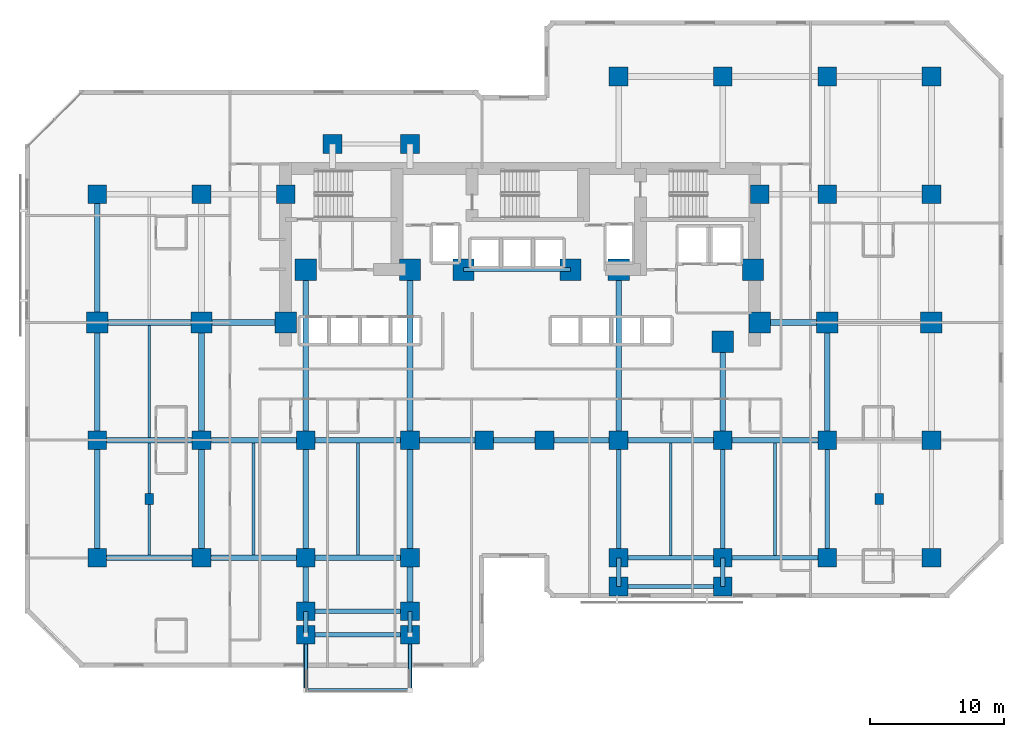
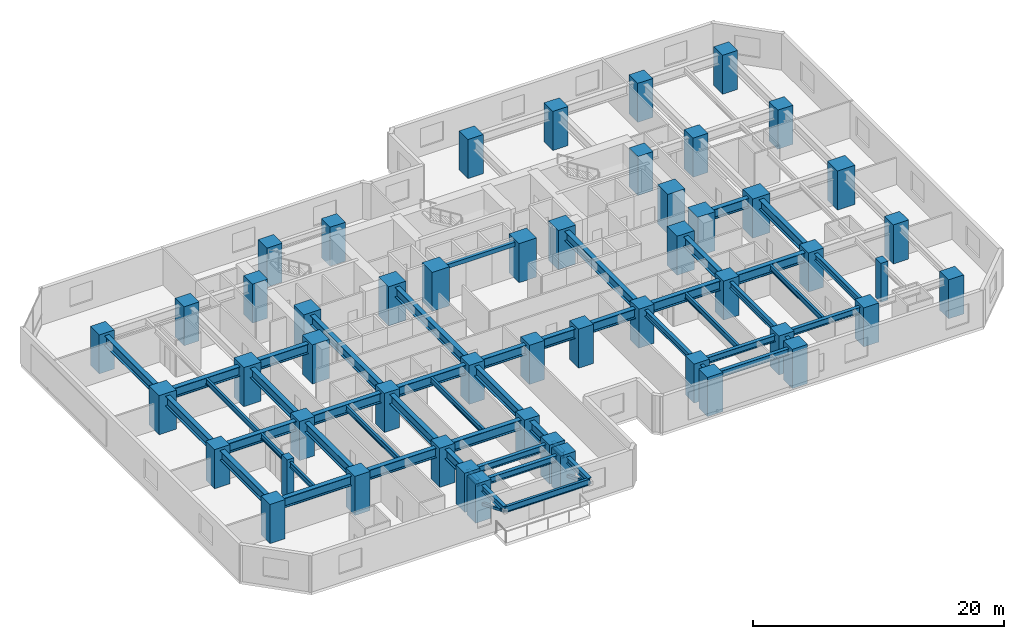
# One storey, part 1 of 12: 51 columns, 50 beams, 2 members.
"""IFC4 building model written with IfcOpenShell, lengths in metres."""

from ifc_helpers import new_model, si_unit, direction, frame, origin, origin_2d, place, context, subcontext, project, spatial, rectangle, hollow_rectangle, i_section, extrude, material, material_profile, profile_set, type_object, element, save


model = new_model("IFC4")

# Units and contexts
model_context = context("Model", 3, precision=1e-05, world=origin(), true_north=direction((0.0, 1.0)))
body_context = subcontext(model_context, "Body", "Model", "MODEL_VIEW")
ifc_project = project(units=[si_unit("LENGTHUNIT", "METRE"), si_unit("AREAUNIT", "SQUARE_METRE"), si_unit("VOLUMEUNIT", "CUBIC_METRE"), si_unit("PLANEANGLEUNIT", "RADIAN"), si_unit("MASSUNIT", "GRAM", prefix="KILO")], contexts=[model_context])

# Site, building, storey
site_placement = place(None, origin())
site = spatial("IfcSite", under=ifc_project, at=site_placement, CompositionType="ELEMENT")
building_placement = place(site_placement, origin())
building = spatial("IfcBuilding", under=site, at=building_placement, Name="Kestravale Grand Hotel", CompositionType="ELEMENT")
storey_placement = place(building_placement, frame((0.0, 0.0, 64.0)))
storey = spatial("IfcBuildingStorey", under=building, at=storey_placement, Name="L15", CompositionType="ELEMENT", Elevation=64.0)

# Columns
ifc_material_1 = material(Name="Concrete f'c 70 MPa", Category="concrete")
ifc_material_profile_1 = material_profile(ifc_material_1, rectangle(XDim=1.39990234375, YDim=1.39990234375, at=origin_2d()))
ifc_profile_set_1 = profile_set([ifc_material_profile_1], Name="Concrete f'c 70 MPa")
column_type_1 = type_object("IfcColumnType", Name="C-Z1-1400", PredefinedType="COLUMN", material=ifc_profile_set_1)
for number, where, z_axis, x_axis, name in (
    (1, (7.800048828125, 11.199951171875, 0.0), (0.0, 0.0, 1.0), (1.0, 0.0, 0.0), "L15 column 2-C"),
    (2, (7.800048828125, 20.0, 0.0), (0.0, 0.0, 1.0), (1.0, 0.0, 0.0), "L15 column 2-D"),
    (3, (7.800048828125, 38.39990234375, 0.0), (0.0, 0.0, 1.0), (1.0, 0.0, 0.0), "L15 column 2-F"),
    (4, (15.60009765625, 11.199951171875, 0.0), (0.0, 0.0, 1.0), (1.0, 0.0, 0.0), "L15 column 3-C"),
    (5, (15.60009765625, 20.0, 0.0), (0.0, 0.0, 1.0), (1.0, 0.0, 0.0), "L15 column 3-D"),
    (6, (15.60009765625, 38.39990234375, 0.0), (0.0, 0.0, 1.0), (1.0, 0.0, 0.0), "L15 column 3-F"),
    (7, (23.39990234375, 11.199951171875, 0.0), (0.0, 0.0, 1.0), (1.0, 0.0, 0.0), "L15 column 4-C"),
    (8, (23.39990234375, 20.0, 0.0), (0.0, 0.0, 1.0), (1.0, 0.0, 0.0), "L15 column 4-D"),
    (9, (31.199951171875, 11.199951171875, 0.0), (0.0, 0.0, 1.0), (1.0, 0.0, 0.0), "L15 column 5-C"),
    (10, (31.199951171875, 20.0, 0.0), (0.0, 0.0, 1.0), (1.0, 0.0, 0.0), "L15 column 5-D"),
    (11, (36.75, 20.0, 0.0), (0.0, 0.0, 1.0), (1.0, 0.0, 0.0), "L15 column 6-D"),
    (12, (41.25, 20.0, 0.0), (0.0, 0.0, 1.0), (1.0, 0.0, 0.0), "L15 column 7-D"),
    (13, (46.800048828125, 11.199951171875, 0.0), (0.0, 0.0, 1.0), (1.0, 0.0, 0.0), "L15 column 8-C"),
    (14, (46.800048828125, 20.0, 0.0), (0.0, 0.0, 1.0), (1.0, 0.0, 0.0), "L15 column 8-D"),
    (15, (46.800048828125, 47.199951171875, 0.0), (0.0, 0.0, 1.0), (1.0, 0.0, 0.0), "L15 column 8-G"),
    (16, (54.60009765625, 11.199951171875, 0.0), (0.0, 0.0, 1.0), (1.0, 0.0, 0.0), "L15 column 9-C"),
    (17, (54.60009765625, 20.0, 0.0), (0.0, 0.0, 1.0), (1.0, 0.0, 0.0), "L15 column 9-D"),
    (18, (54.60009765625, 47.199951171875, 0.0), (0.0, 0.0, 1.0), (1.0, 0.0, 0.0), "L15 column 9-G"),
    (19, (62.39990234375, 11.199951171875, 0.0), (0.0, 0.0, 1.0), (1.0, 0.0, 0.0), "L15 column 10-C"),
    (20, (62.39990234375, 20.0, 0.0), (0.0, 0.0, 1.0), (1.0, 0.0, 0.0), "L15 column 10-D"),
    (21, (62.39990234375, 38.39990234375, 0.0), (0.0, 0.0, 1.0), (1.0, 0.0, 0.0), "L15 column 10-F"),
    (22, (62.39990234375, 47.199951171875, 0.0), (0.0, 0.0, 1.0), (1.0, 0.0, 0.0), "L15 column 10-G"),
    (23, (70.199951171875, 11.199951171875, 0.0), (0.0, 0.0, 1.0), (1.0, 0.0, 0.0), "L15 column 11-C"),
    (24, (70.199951171875, 20.0, 0.0), (0.0, 0.0, 1.0), (1.0, 0.0, 0.0), "L15 column 11-D"),
    (25, (70.199951171875, 38.39990234375, 0.0), (0.0, 0.0, 1.0), (1.0, 0.0, 0.0), "L15 column 11-F"),
    (26, (70.199951171875, 47.199951171875, 0.0), (0.0, 0.0, 1.0), (1.0, 0.0, 0.0), "L15 column 11-G"),
    (27, (21.89990234375, 38.39990234375, 0.0), (0.0, 0.0, 1.0), (1.0, 0.0, 0.0), "L15 column CW-F"),
    (28, (57.35009765625, 38.39990234375, 0.0), (0.0, 0.0, 1.0), (1.0, 0.0, 0.0), "L15 column CE-F"),
    (29, (23.39990234375, 7.199951171875, 0.0), (0.0, 0.0, 1.0), (1.0, 0.0, 0.0), "L15 column 4-BS"),
    (30, (31.199951171875, 7.199951171875, 0.0), (0.0, 0.0, 1.0), (1.0, 0.0, 0.0), "L15 column 5-BS"),
    (31, (25.39990234375, 42.14990234375, 0.0), (0.0, 0.0, 1.0), (1.0, 0.0, 0.0), "L15 column 4-FN"),
    (32, (31.199951171875, 42.14990234375, 0.0), (0.0, 0.0, 1.0), (1.0, 0.0, 0.0), "L15 column 5-FN"),
    (33, (23.39990234375, 5.449951171875, 0.0), (0.0, 0.0, 1.0), (1.0, 0.0, 0.0), "L15 column 4-B1S"),
    (34, (31.199951171875, 5.449951171875, 0.0), (0.0, 0.0, 1.0), (1.0, 0.0, 0.0), "L15 column 5-B1S"),
    (35, (46.800048828125, 9.050048828125, 0.0), (0.0, 0.0, 1.0), (1.0, 0.0, 0.0), "L15 column 8-B1E"),
    (36, (54.60009765625, 9.050048828125, 0.0), (0.0, 0.0, 1.0), (1.0, 0.0, 0.0), "L15 column 9-B1E"),
):
    element("IfcColumn", number, at=place(storey_placement, frame(where, z_axis=z_axis, x_axis=x_axis)), inside=storey, type_object=column_type_1, Name=name, PredefinedType="COLUMN", context=body_context, shape_type="SweptSolid", body=[
        extrude(rectangle(XDim=1.39990234375, YDim=1.39990234375, at=origin_2d()), origin(), (0.0, 0.0, 1.0), 3.800048828125),
    ])
ifc_material_2 = material(Name="Concrete f'c 70 MPa", Category="concrete")
ifc_material_profile_2 = material_profile(ifc_material_2, rectangle(XDim=1.60009765625, YDim=1.60009765625, at=origin_2d()))
ifc_profile_set_2 = profile_set([ifc_material_profile_2], Name="Concrete f'c 70 MPa")
column_type_2 = type_object("IfcColumnType", Name="C-Z1-1600", PredefinedType="COLUMN", material=ifc_profile_set_2)
for number, where, z_axis, x_axis, name in (
    (37, (7.800048828125, 28.800048828125, 0.0), (0.0, 0.0, 1.0), (1.0, 0.0, 0.0), "L15 column 2-E"),
    (38, (15.60009765625, 28.800048828125, 0.0), (0.0, 0.0, 1.0), (1.0, 0.0, 0.0), "L15 column 3-E"),
    (39, (62.39990234375, 28.800048828125, 0.0), (0.0, 0.0, 1.0), (1.0, 0.0, 0.0), "L15 column 10-E"),
    (40, (70.199951171875, 28.800048828125, 0.0), (0.0, 0.0, 1.0), (1.0, 0.0, 0.0), "L15 column 11-E"),
    (41, (21.89990234375, 28.800048828125, 0.0), (0.0, 0.0, 1.0), (1.0, 0.0, 0.0), "L15 column CW-E"),
    (42, (57.35009765625, 28.800048828125, 0.0), (0.0, 0.0, 1.0), (1.0, 0.0, 0.0), "L15 column CE-E"),
    (43, (23.39990234375, 32.75, 0.0), (0.0, 0.0, 1.0), (1.0, 0.0, 0.0), "L15 column 4-CS"),
    (44, (31.199951171875, 32.75, 0.0), (0.0, 0.0, 1.0), (1.0, 0.0, 0.0), "L15 column 5-CS"),
    (45, (35.199951171875, 32.75, 0.0), (0.0, 0.0, 1.0), (1.0, 0.0, 0.0), "L15 column 6C-CS"),
    (46, (43.199951171875, 32.75, 0.0), (0.0, 0.0, 1.0), (1.0, 0.0, 0.0), "L15 column 7C-CS"),
    (47, (46.800048828125, 32.75, 0.0), (0.0, 0.0, 1.0), (1.0, 0.0, 0.0), "L15 column 8-CS"),
    (48, (54.60009765625, 27.35009765625, 0.0), (0.0, 0.0, 1.0), (1.0, 0.0, 0.0), "L15 column 9-CS"),
    (49, (56.85009765625, 32.75, 0.0), (0.0, 0.0, 1.0), (1.0, 0.0, 0.0), "L15 column 9C-CS"),
):
    element("IfcColumn", number, at=place(storey_placement, frame(where, z_axis=z_axis, x_axis=x_axis)), inside=storey, type_object=column_type_2, Name=name, PredefinedType="COLUMN", context=body_context, shape_type="SweptSolid", body=[
        extrude(rectangle(XDim=1.60009765625, YDim=1.60009765625, at=origin_2d()), origin(), (0.0, 0.0, 1.0), 3.800048828125),
    ])
ifc_material_3 = material(Name="Precast concrete f'c 45 MPa", Category="concrete")
ifc_material_profile_3 = material_profile(ifc_material_3, rectangle(XDim=0.64990234375, YDim=0.85009765625, at=origin_2d()))
ifc_profile_set_3 = profile_set([ifc_material_profile_3], Name="Precast concrete f'c 45 MPa")
column_type_3 = type_object("IfcColumnType", Name="C-Z1-PIL850", PredefinedType="PILASTER", material=ifc_profile_set_3)
for number, where, z_axis, x_axis, name in (
    (50, (11.699951171875, 15.60009765625, 0.0), (0.0, 0.0, 1.0), (1.0, 0.0, 0.0), "L15 Art Deco fluted pilaster P1"),
    (51, (66.300048828125, 15.60009765625, 0.0), (0.0, 0.0, 1.0), (1.0, 0.0, 0.0), "L15 Art Deco fluted pilaster P2"),
):
    element("IfcColumn", number, at=place(storey_placement, frame(where, z_axis=z_axis, x_axis=x_axis)), inside=storey, type_object=column_type_3, Name=name, PredefinedType="PILASTER", context=body_context, shape_type="SweptSolid", body=[
        extrude(rectangle(XDim=0.64990234375, YDim=0.85009765625, at=origin_2d()), origin(), (0.0, 0.0, 1.0), 3.800048828125),
    ])

# Beams
ifc_material_4 = material(Name="Steel ASTM A992 Grade 50", Category="steel")
ifc_material_profile_4 = material_profile(ifc_material_4, i_section(OverallWidth=0.2099609375, OverallDepth=0.535888671875, WebThickness=0.010986328125, FlangeThickness=0.017333984375, FilletRadius=0.017578125, at=origin_2d()))
ifc_profile_set_4 = profile_set([ifc_material_profile_4], Name="Steel ASTM A992 Grade 50")
beam_type_1 = type_object("IfcBeamType", Name="B-FLR-JST21", PredefinedType="JOIST", material=ifc_profile_set_4)
for number, where, z_axis, x_axis, name in (
    (52, (11.699951171875, 11.412109375, 3.27197265625), (0.0, 1.0, 0.0), (-1.0, 0.0, 0.0), "L15 floor joist 2-3/C-D #1"),
    (53, (11.699951171875, 20.2119140625, 3.27197265625), (0.0, 1.0, 0.0), (-1.0, 0.0, 0.0), "L15 floor joist 2-3/D-E #1"),
    (54, (19.5, 11.412109375, 3.27197265625), (0.0, 1.0, 0.0), (-1.0, 0.0, 0.0), "L15 floor joist 3-4/C-D #1"),
    (55, (27.300048828125, 11.412109375, 3.27197265625), (0.0, 1.0, 0.0), (-1.0, 0.0, 0.0), "L15 floor joist 4-5/C-D #1"),
):
    element("IfcBeam", number, at=place(storey_placement, frame(where, z_axis=z_axis, x_axis=x_axis)), inside=storey, type_object=beam_type_1, Name=name, PredefinedType="JOIST", context=body_context, shape_type="SweptSolid", body=[
        extrude(i_section(OverallWidth=0.2099609375, OverallDepth=0.535888671875, WebThickness=0.010986328125, FlangeThickness=0.017333984375, FilletRadius=0.017578125, at=origin_2d()), origin(), (0.0, 0.0, 1.0), 8.3759765625),
    ])
for number, where, z_axis, x_axis, name in (
    (56, (50.699951171875, 11.362548828125, 3.27197265625), (0.0, 1.0, 0.0), (-1.0, 0.0, 0.0), "L15 floor joist 8-9/C-D #1"),
    (57, (58.5, 11.362548828125, 3.27197265625), (0.0, 1.0, 0.0), (-1.0, 0.0, 0.0), "L15 floor joist 9-10/C-D #1"),
):
    element("IfcBeam", number, at=place(storey_placement, frame(where, z_axis=z_axis, x_axis=x_axis)), inside=storey, type_object=beam_type_1, Name=name, PredefinedType="JOIST", context=body_context, shape_type="SweptSolid", body=[
        extrude(i_section(OverallWidth=0.2099609375, OverallDepth=0.535888671875, WebThickness=0.010986328125, FlangeThickness=0.017333984375, FilletRadius=0.017578125, at=origin_2d()), origin(), (0.0, 0.0, 1.0), 8.425537109375),
    ])
ifc_material_5 = material(Name="Concrete f'c 45 MPa", Category="concrete")
ifc_material_profile_5 = material_profile(ifc_material_5, rectangle(XDim=0.300048828125, YDim=0.39990234375, at=origin_2d()))
ifc_profile_set_5 = profile_set([ifc_material_profile_5], Name="Concrete f'c 45 MPa")
beam_type_2 = type_object("IfcBeamType", Name="B-FLR-LNT400", PredefinedType="LINTEL", material=ifc_profile_set_5)
beam_1_placement = place(storey_placement, frame((35.199951171875, 32.75, 3.340087890625), z_axis=(1.0, 0.0, 0.0), x_axis=(0.0, 1.0, 0.0)))
element("IfcBeam", 58, at=beam_1_placement, inside=storey, type_object=beam_type_2, Name="L15 core portal header lintel", PredefinedType="LINTEL", context=body_context, shape_type="SweptSolid", body=[
    extrude(rectangle(XDim=0.300048828125, YDim=0.39990234375, at=origin_2d()), origin(), (0.0, 0.0, 1.0), 8.0),
])
ifc_material_6 = material(Name="Steel ASTM A992 Grade 50", Category="steel")
ifc_material_profile_6 = material_profile(ifc_material_6, i_section(OverallWidth=0.324951171875, OverallDepth=0.612060546875, WebThickness=0.0126953125, FlangeThickness=0.01904296875, FilletRadius=0.018798828125, at=origin_2d()))
ifc_profile_set_6 = profile_set([ifc_material_profile_6], Name="Steel ASTM A992 Grade 50")
beam_type_3 = type_object("IfcBeamType", Name="B-FLR-W24A", PredefinedType="SPANDREL", material=ifc_profile_set_6)
beam_2_placement = place(storey_placement, frame((46.800048828125, 11.199951171875, 3.23388671875), z_axis=(1.0, 0.0, 0.0), x_axis=(0.0, 1.0, 0.0)))
element("IfcBeam", 59, at=beam_2_placement, inside=storey, type_object=beam_type_3, Name="L15 spandrel C:8-9", PredefinedType="SPANDREL", context=body_context, shape_type="SweptSolid", body=[
    extrude(i_section(OverallWidth=0.324951171875, OverallDepth=0.612060546875, WebThickness=0.0126953125, FlangeThickness=0.01904296875, FilletRadius=0.018798828125, at=origin_2d()), origin(), (0.0, 0.0, 1.0), 7.800048828125),
])
beam_3_placement = place(storey_placement, frame((54.60009765625, 11.199951171875, 3.23388671875), z_axis=(1.0, 0.0, 0.0), x_axis=(0.0, 1.0, 0.0)))
element("IfcBeam", 60, at=beam_3_placement, inside=storey, type_object=beam_type_3, Name="L15 spandrel C:9-10", PredefinedType="SPANDREL", context=body_context, shape_type="SweptSolid", body=[
    extrude(i_section(OverallWidth=0.324951171875, OverallDepth=0.612060546875, WebThickness=0.0126953125, FlangeThickness=0.01904296875, FilletRadius=0.018798828125, at=origin_2d()), origin(), (0.0, 0.0, 1.0), 7.7998046875),
])
for number, where, z_axis, x_axis, name in (
    (61, (23.39990234375, 5.449951171875, 3.23388671875), (1.0, 0.0, 0.0), (0.0, 1.0, 0.0), "L15 perimeter tie spandrel B1S:4-5"),
    (62, (46.800048828125, 9.050048828125, 3.23388671875), (1.0, 0.0, 0.0), (0.0, 1.0, 0.0), "L15 perimeter tie spandrel B1E:8-9"),
    (63, (23.39990234375, 7.199951171875, 3.23388671875), (1.0, 0.0, 0.0), (0.0, 1.0, 0.0), "L15 perimeter tie spandrel BS:4-5"),
):
    element("IfcBeam", number, at=place(storey_placement, frame(where, z_axis=z_axis, x_axis=x_axis)), inside=storey, type_object=beam_type_3, Name=name, PredefinedType="SPANDREL", context=body_context, shape_type="SweptSolid", body=[
        extrude(i_section(OverallWidth=0.324951171875, OverallDepth=0.612060546875, WebThickness=0.0126953125, FlangeThickness=0.01904296875, FilletRadius=0.018798828125, at=origin_2d()), origin(), (0.0, 0.0, 1.0), 7.800048828125),
    ])
for number, where, z_axis, x_axis, name in (
    (64, (23.39990234375, 5.449951171875, 3.23388671875), (0.0, 1.0, 0.0), (-1.0, 0.0, 0.0), "L15 spandrel 4:B1S-BS"),
    (65, (31.199951171875, 5.449951171875, 3.23388671875), (0.0, 1.0, 0.0), (-1.0, 0.0, 0.0), "L15 spandrel 5:B1S-BS"),
):
    element("IfcBeam", number, at=place(storey_placement, frame(where, z_axis=z_axis, x_axis=x_axis)), inside=storey, type_object=beam_type_3, Name=name, PredefinedType="SPANDREL", context=body_context, shape_type="SweptSolid", body=[
        extrude(i_section(OverallWidth=0.324951171875, OverallDepth=0.612060546875, WebThickness=0.0126953125, FlangeThickness=0.01904296875, FilletRadius=0.018798828125, at=origin_2d()), origin(), (0.0, 0.0, 1.0), 1.75),
    ])
beam_4_placement = place(storey_placement, frame((46.800048828125, 9.050048828125, 3.23388671875), z_axis=(0.0, 1.0, 0.0), x_axis=(-1.0, 0.0, 0.0)))
element("IfcBeam", 66, at=beam_4_placement, inside=storey, type_object=beam_type_3, Name="L15 spandrel 8:B1E-C", PredefinedType="SPANDREL", context=body_context, shape_type="SweptSolid", body=[
    extrude(i_section(OverallWidth=0.324951171875, OverallDepth=0.612060546875, WebThickness=0.0126953125, FlangeThickness=0.01904296875, FilletRadius=0.018798828125, at=origin_2d()), origin(), (0.0, 0.0, 1.0), 2.14990234375),
])
beam_5_placement = place(storey_placement, frame((46.800048828125, 11.199951171875, 3.23388671875), z_axis=(0.0, 1.0, 0.0), x_axis=(-1.0, 0.0, 0.0)))
element("IfcBeam", 67, at=beam_5_placement, inside=storey, type_object=beam_type_3, Name="L15 spandrel 8:C-D", PredefinedType="SPANDREL", context=body_context, shape_type="SweptSolid", body=[
    extrude(i_section(OverallWidth=0.324951171875, OverallDepth=0.612060546875, WebThickness=0.0126953125, FlangeThickness=0.01904296875, FilletRadius=0.018798828125, at=origin_2d()), origin(), (0.0, 0.0, 1.0), 8.800048828125),
])
beam_6_placement = place(storey_placement, frame((54.60009765625, 9.050048828125, 3.23388671875), z_axis=(0.0, 1.0, 0.0), x_axis=(-1.0, 0.0, 0.0)))
element("IfcBeam", 68, at=beam_6_placement, inside=storey, type_object=beam_type_3, Name="L15 spandrel 9:B1E-C", PredefinedType="SPANDREL", context=body_context, shape_type="SweptSolid", body=[
    extrude(i_section(OverallWidth=0.324951171875, OverallDepth=0.612060546875, WebThickness=0.0126953125, FlangeThickness=0.01904296875, FilletRadius=0.018798828125, at=origin_2d()), origin(), (0.0, 0.0, 1.0), 2.14990234375),
])
for number, where, z_axis, x_axis, name in (
    (69, (54.60009765625, 11.199951171875, 3.23388671875), (0.0, 1.0, 0.0), (-1.0, 0.0, 0.0), "L15 spandrel 9:C-D"),
    (70, (62.39990234375, 11.199951171875, 3.23388671875), (0.0, 1.0, 0.0), (-1.0, 0.0, 0.0), "L15 spandrel 10:C-D"),
):
    element("IfcBeam", number, at=place(storey_placement, frame(where, z_axis=z_axis, x_axis=x_axis)), inside=storey, type_object=beam_type_3, Name=name, PredefinedType="SPANDREL", context=body_context, shape_type="SweptSolid", body=[
        extrude(i_section(OverallWidth=0.324951171875, OverallDepth=0.612060546875, WebThickness=0.0126953125, FlangeThickness=0.01904296875, FilletRadius=0.018798828125, at=origin_2d()), origin(), (0.0, 0.0, 1.0), 8.800048828125),
    ])
for number, where, z_axis, x_axis, name in (
    (71, (23.39990234375, 5.449951171875, 3.22412109375), (0.0, -1.0, 0.0), (1.0, 0.0, 0.0), "L16 terrace cantilever beam 1"),
    (72, (31.199951171875, 5.449951171875, 3.22412109375), (0.0, -1.0, 0.0), (1.0, 0.0, 0.0), "L16 terrace cantilever beam 2"),
):
    element("IfcBeam", number, at=place(storey_placement, frame(where, z_axis=z_axis, x_axis=x_axis)), inside=storey, type_object=beam_type_3, Name=name, PredefinedType="SPANDREL", context=body_context, shape_type="SweptSolid", body=[
        extrude(i_section(OverallWidth=0.324951171875, OverallDepth=0.612060546875, WebThickness=0.0126953125, FlangeThickness=0.01904296875, FilletRadius=0.018798828125, at=origin_2d()), origin(), (0.0, 0.0, 1.0), 4.14990234375),
    ])
ifc_material_7 = material(Name="Steel ASTM A992 Grade 50", Category="steel")
ifc_material_profile_7 = material_profile(ifc_material_7, i_section(OverallWidth=0.22900390625, OverallDepth=0.612060546875, WebThickness=0.011962890625, FlangeThickness=0.01953125, FilletRadius=0.019287109375, at=origin_2d()))
ifc_profile_set_7 = profile_set([ifc_material_profile_7], Name="Steel ASTM A992 Grade 50")
beam_type_4 = type_object("IfcBeamType", Name="B-FLR-W24B", PredefinedType="SPANDREL", material=ifc_profile_set_7)
beam_7_placement = place(storey_placement, frame((23.39990234375, 1.300048828125, 3.22412109375), z_axis=(1.0, 0.0, 0.0), x_axis=(0.0, 1.0, 0.0)))
element("IfcBeam", 73, at=beam_7_placement, inside=storey, type_object=beam_type_4, Name="L16 terrace edge spandrel", PredefinedType="SPANDREL", context=body_context, shape_type="SweptSolid", body=[
    extrude(i_section(OverallWidth=0.22900390625, OverallDepth=0.612060546875, WebThickness=0.011962890625, FlangeThickness=0.01953125, FilletRadius=0.019287109375, at=origin_2d()), origin(), (0.0, 0.0, 1.0), 7.800048828125),
])
ifc_material_8 = material(Name="Steel ASTM A992 Grade 50", Category="steel")
ifc_material_profile_8 = material_profile(ifc_material_8, i_section(OverallWidth=0.424072265625, OverallDepth=0.947021484375, WebThickness=0.02392578125, FlangeThickness=0.042724609375, FilletRadius=0.0283203125, at=origin_2d()))
ifc_profile_set_8 = profile_set([ifc_material_profile_8], Name="Steel ASTM A992 Grade 50")
beam_type_5 = type_object("IfcBeamType", Name="B-GRD-W36", PredefinedType="BEAM", material=ifc_profile_set_8)
beam_8_placement = place(storey_placement, frame((7.800048828125, 11.199951171875, 3.06640625), z_axis=(1.0, 0.0, 0.0), x_axis=(0.0, 1.0, 0.0)))
element("IfcBeam", 74, at=beam_8_placement, inside=storey, type_object=beam_type_5, Name="L15 girder C:2-3", PredefinedType="BEAM", context=body_context, shape_type="SweptSolid", body=[
    extrude(i_section(OverallWidth=0.424072265625, OverallDepth=0.947021484375, WebThickness=0.02392578125, FlangeThickness=0.042724609375, FilletRadius=0.0283203125, at=origin_2d()), origin(), (0.0, 0.0, 1.0), 7.800048828125),
])
beam_9_placement = place(storey_placement, frame((15.60009765625, 11.199951171875, 3.06640625), z_axis=(1.0, 0.0, 0.0), x_axis=(0.0, 1.0, 0.0)))
element("IfcBeam", 75, at=beam_9_placement, inside=storey, type_object=beam_type_5, Name="L15 girder C:3-4", PredefinedType="BEAM", context=body_context, shape_type="SweptSolid", body=[
    extrude(i_section(OverallWidth=0.424072265625, OverallDepth=0.947021484375, WebThickness=0.02392578125, FlangeThickness=0.042724609375, FilletRadius=0.0283203125, at=origin_2d()), origin(), (0.0, 0.0, 1.0), 7.7998046875),
])
for number, where, z_axis, x_axis, name in (
    (76, (23.39990234375, 11.199951171875, 3.06640625), (1.0, 0.0, 0.0), (0.0, 1.0, 0.0), "L15 girder C:4-5"),
    (77, (7.800048828125, 20.0, 3.06640625), (1.0, 0.0, 0.0), (0.0, 1.0, 0.0), "L15 girder D:2-3"),
):
    element("IfcBeam", number, at=place(storey_placement, frame(where, z_axis=z_axis, x_axis=x_axis)), inside=storey, type_object=beam_type_5, Name=name, PredefinedType="BEAM", context=body_context, shape_type="SweptSolid", body=[
        extrude(i_section(OverallWidth=0.424072265625, OverallDepth=0.947021484375, WebThickness=0.02392578125, FlangeThickness=0.042724609375, FilletRadius=0.0283203125, at=origin_2d()), origin(), (0.0, 0.0, 1.0), 7.800048828125),
    ])
beam_10_placement = place(storey_placement, frame((15.60009765625, 20.0, 3.06640625), z_axis=(1.0, 0.0, 0.0), x_axis=(0.0, 1.0, 0.0)))
element("IfcBeam", 78, at=beam_10_placement, inside=storey, type_object=beam_type_5, Name="L15 girder D:3-4", PredefinedType="BEAM", context=body_context, shape_type="SweptSolid", body=[
    extrude(i_section(OverallWidth=0.424072265625, OverallDepth=0.947021484375, WebThickness=0.02392578125, FlangeThickness=0.042724609375, FilletRadius=0.0283203125, at=origin_2d()), origin(), (0.0, 0.0, 1.0), 7.7998046875),
])
beam_11_placement = place(storey_placement, frame((23.39990234375, 20.0, 3.06640625), z_axis=(1.0, 0.0, 0.0), x_axis=(0.0, 1.0, 0.0)))
element("IfcBeam", 79, at=beam_11_placement, inside=storey, type_object=beam_type_5, Name="L15 girder D:4-5", PredefinedType="BEAM", context=body_context, shape_type="SweptSolid", body=[
    extrude(i_section(OverallWidth=0.424072265625, OverallDepth=0.947021484375, WebThickness=0.02392578125, FlangeThickness=0.042724609375, FilletRadius=0.0283203125, at=origin_2d()), origin(), (0.0, 0.0, 1.0), 7.800048828125),
])
beam_12_placement = place(storey_placement, frame((31.199951171875, 20.0, 3.06640625), z_axis=(1.0, 0.0, 0.0), x_axis=(0.0, 1.0, 0.0)))
element("IfcBeam", 80, at=beam_12_placement, inside=storey, type_object=beam_type_5, Name="L15 girder D:5-6", PredefinedType="BEAM", context=body_context, shape_type="SweptSolid", body=[
    extrude(i_section(OverallWidth=0.424072265625, OverallDepth=0.947021484375, WebThickness=0.02392578125, FlangeThickness=0.042724609375, FilletRadius=0.0283203125, at=origin_2d()), origin(), (0.0, 0.0, 1.0), 5.550048828125),
])
beam_13_placement = place(storey_placement, frame((36.75, 20.0, 3.06640625), z_axis=(1.0, 0.0, 0.0), x_axis=(0.0, 1.0, 0.0)))
element("IfcBeam", 81, at=beam_13_placement, inside=storey, type_object=beam_type_5, Name="L15 girder D:6-7", PredefinedType="BEAM", context=body_context, shape_type="SweptSolid", body=[
    extrude(i_section(OverallWidth=0.424072265625, OverallDepth=0.947021484375, WebThickness=0.02392578125, FlangeThickness=0.042724609375, FilletRadius=0.0283203125, at=origin_2d()), origin(), (0.0, 0.0, 1.0), 4.5),
])
beam_14_placement = place(storey_placement, frame((41.25, 20.0, 3.06640625), z_axis=(1.0, 0.0, 0.0), x_axis=(0.0, 1.0, 0.0)))
element("IfcBeam", 82, at=beam_14_placement, inside=storey, type_object=beam_type_5, Name="L15 girder D:7-8", PredefinedType="BEAM", context=body_context, shape_type="SweptSolid", body=[
    extrude(i_section(OverallWidth=0.424072265625, OverallDepth=0.947021484375, WebThickness=0.02392578125, FlangeThickness=0.042724609375, FilletRadius=0.0283203125, at=origin_2d()), origin(), (0.0, 0.0, 1.0), 5.550048828125),
])
beam_15_placement = place(storey_placement, frame((46.800048828125, 20.0, 3.06640625), z_axis=(1.0, 0.0, 0.0), x_axis=(0.0, 1.0, 0.0)))
element("IfcBeam", 83, at=beam_15_placement, inside=storey, type_object=beam_type_5, Name="L15 girder D:8-9", PredefinedType="BEAM", context=body_context, shape_type="SweptSolid", body=[
    extrude(i_section(OverallWidth=0.424072265625, OverallDepth=0.947021484375, WebThickness=0.02392578125, FlangeThickness=0.042724609375, FilletRadius=0.0283203125, at=origin_2d()), origin(), (0.0, 0.0, 1.0), 7.800048828125),
])
beam_16_placement = place(storey_placement, frame((54.60009765625, 20.0, 3.06640625), z_axis=(1.0, 0.0, 0.0), x_axis=(0.0, 1.0, 0.0)))
element("IfcBeam", 84, at=beam_16_placement, inside=storey, type_object=beam_type_5, Name="L15 girder D:9-10", PredefinedType="BEAM", context=body_context, shape_type="SweptSolid", body=[
    extrude(i_section(OverallWidth=0.424072265625, OverallDepth=0.947021484375, WebThickness=0.02392578125, FlangeThickness=0.042724609375, FilletRadius=0.0283203125, at=origin_2d()), origin(), (0.0, 0.0, 1.0), 7.7998046875),
])
beam_17_placement = place(storey_placement, frame((7.800048828125, 28.800048828125, 3.06640625), z_axis=(1.0, 0.0, 0.0), x_axis=(0.0, 1.0, 0.0)))
element("IfcBeam", 85, at=beam_17_placement, inside=storey, type_object=beam_type_5, Name="L15 girder E:2-3", PredefinedType="BEAM", context=body_context, shape_type="SweptSolid", body=[
    extrude(i_section(OverallWidth=0.424072265625, OverallDepth=0.947021484375, WebThickness=0.02392578125, FlangeThickness=0.042724609375, FilletRadius=0.0283203125, at=origin_2d()), origin(), (0.0, 0.0, 1.0), 7.800048828125),
])
beam_18_placement = place(storey_placement, frame((15.60009765625, 28.800048828125, 3.06640625), z_axis=(1.0, 0.0, 0.0), x_axis=(0.0, 1.0, 0.0)))
element("IfcBeam", 86, at=beam_18_placement, inside=storey, type_object=beam_type_5, Name="L15 girder E:3-CW", PredefinedType="BEAM", context=body_context, shape_type="SweptSolid", body=[
    extrude(i_section(OverallWidth=0.424072265625, OverallDepth=0.947021484375, WebThickness=0.02392578125, FlangeThickness=0.042724609375, FilletRadius=0.0283203125, at=origin_2d()), origin(), (0.0, 0.0, 1.0), 6.2998046875),
])
beam_19_placement = place(storey_placement, frame((57.35009765625, 28.800048828125, 3.06640625), z_axis=(1.0, 0.0, 0.0), x_axis=(0.0, 1.0, 0.0)))
element("IfcBeam", 87, at=beam_19_placement, inside=storey, type_object=beam_type_5, Name="L15 girder E:CE-10", PredefinedType="BEAM", context=body_context, shape_type="SweptSolid", body=[
    extrude(i_section(OverallWidth=0.424072265625, OverallDepth=0.947021484375, WebThickness=0.02392578125, FlangeThickness=0.042724609375, FilletRadius=0.0283203125, at=origin_2d()), origin(), (0.0, 0.0, 1.0), 5.0498046875),
])
for number, where, z_axis, x_axis, name in (
    (88, (7.800048828125, 11.199951171875, 3.06640625), (0.0, 1.0, 0.0), (-1.0, 0.0, 0.0), "L15 girder 2:C-D"),
    (89, (7.800048828125, 20.0, 3.06640625), (0.0, 1.0, 0.0), (-1.0, 0.0, 0.0), "L15 girder 2:D-E"),
):
    element("IfcBeam", number, at=place(storey_placement, frame(where, z_axis=z_axis, x_axis=x_axis)), inside=storey, type_object=beam_type_5, Name=name, PredefinedType="BEAM", context=body_context, shape_type="SweptSolid", body=[
        extrude(i_section(OverallWidth=0.424072265625, OverallDepth=0.947021484375, WebThickness=0.02392578125, FlangeThickness=0.042724609375, FilletRadius=0.0283203125, at=origin_2d()), origin(), (0.0, 0.0, 1.0), 8.800048828125),
    ])
beam_20_placement = place(storey_placement, frame((7.800048828125, 28.800048828125, 3.06640625), z_axis=(0.0, 1.0, 0.0), x_axis=(-1.0, 0.0, 0.0)))
element("IfcBeam", 90, at=beam_20_placement, inside=storey, type_object=beam_type_5, Name="L15 girder 2:E-F", PredefinedType="BEAM", context=body_context, shape_type="SweptSolid", body=[
    extrude(i_section(OverallWidth=0.424072265625, OverallDepth=0.947021484375, WebThickness=0.02392578125, FlangeThickness=0.042724609375, FilletRadius=0.0283203125, at=origin_2d()), origin(), (0.0, 0.0, 1.0), 9.599853515625),
])
for number, where, z_axis, x_axis, name in (
    (91, (15.60009765625, 11.199951171875, 3.06640625), (0.0, 1.0, 0.0), (-1.0, 0.0, 0.0), "L15 girder 3:C-D"),
    (92, (15.60009765625, 20.0, 3.06640625), (0.0, 1.0, 0.0), (-1.0, 0.0, 0.0), "L15 girder 3:D-E"),
):
    element("IfcBeam", number, at=place(storey_placement, frame(where, z_axis=z_axis, x_axis=x_axis)), inside=storey, type_object=beam_type_5, Name=name, PredefinedType="BEAM", context=body_context, shape_type="SweptSolid", body=[
        extrude(i_section(OverallWidth=0.424072265625, OverallDepth=0.947021484375, WebThickness=0.02392578125, FlangeThickness=0.042724609375, FilletRadius=0.0283203125, at=origin_2d()), origin(), (0.0, 0.0, 1.0), 8.800048828125),
    ])
beam_21_placement = place(storey_placement, frame((23.39990234375, 7.199951171875, 3.06640625), z_axis=(0.0, 1.0, 0.0), x_axis=(-1.0, 0.0, 0.0)))
element("IfcBeam", 93, at=beam_21_placement, inside=storey, type_object=beam_type_5, Name="L15 girder 4:BS-C", PredefinedType="BEAM", context=body_context, shape_type="SweptSolid", body=[
    extrude(i_section(OverallWidth=0.424072265625, OverallDepth=0.947021484375, WebThickness=0.02392578125, FlangeThickness=0.042724609375, FilletRadius=0.0283203125, at=origin_2d()), origin(), (0.0, 0.0, 1.0), 4.0),
])
beam_22_placement = place(storey_placement, frame((23.39990234375, 11.199951171875, 3.06640625), z_axis=(0.0, 1.0, 0.0), x_axis=(-1.0, 0.0, 0.0)))
element("IfcBeam", 94, at=beam_22_placement, inside=storey, type_object=beam_type_5, Name="L15 girder 4:C-D", PredefinedType="BEAM", context=body_context, shape_type="SweptSolid", body=[
    extrude(i_section(OverallWidth=0.424072265625, OverallDepth=0.947021484375, WebThickness=0.02392578125, FlangeThickness=0.042724609375, FilletRadius=0.0283203125, at=origin_2d()), origin(), (0.0, 0.0, 1.0), 8.800048828125),
])
beam_23_placement = place(storey_placement, frame((23.39990234375, 20.0, 3.06640625), z_axis=(0.0, 1.0, 0.0), x_axis=(-1.0, 0.0, 0.0)))
element("IfcBeam", 95, at=beam_23_placement, inside=storey, type_object=beam_type_5, Name="L15 girder 4:D-CS", PredefinedType="BEAM", context=body_context, shape_type="SweptSolid", body=[
    extrude(i_section(OverallWidth=0.424072265625, OverallDepth=0.947021484375, WebThickness=0.02392578125, FlangeThickness=0.042724609375, FilletRadius=0.0283203125, at=origin_2d()), origin(), (0.0, 0.0, 1.0), 12.75),
])
beam_24_placement = place(storey_placement, frame((31.199951171875, 7.199951171875, 3.06640625), z_axis=(0.0, 1.0, 0.0), x_axis=(-1.0, 0.0, 0.0)))
element("IfcBeam", 96, at=beam_24_placement, inside=storey, type_object=beam_type_5, Name="L15 girder 5:BS-C", PredefinedType="BEAM", context=body_context, shape_type="SweptSolid", body=[
    extrude(i_section(OverallWidth=0.424072265625, OverallDepth=0.947021484375, WebThickness=0.02392578125, FlangeThickness=0.042724609375, FilletRadius=0.0283203125, at=origin_2d()), origin(), (0.0, 0.0, 1.0), 4.0),
])
beam_25_placement = place(storey_placement, frame((31.199951171875, 11.199951171875, 3.06640625), z_axis=(0.0, 1.0, 0.0), x_axis=(-1.0, 0.0, 0.0)))
element("IfcBeam", 97, at=beam_25_placement, inside=storey, type_object=beam_type_5, Name="L15 girder 5:C-D", PredefinedType="BEAM", context=body_context, shape_type="SweptSolid", body=[
    extrude(i_section(OverallWidth=0.424072265625, OverallDepth=0.947021484375, WebThickness=0.02392578125, FlangeThickness=0.042724609375, FilletRadius=0.0283203125, at=origin_2d()), origin(), (0.0, 0.0, 1.0), 8.800048828125),
])
for number, where, z_axis, x_axis, name in (
    (98, (31.199951171875, 20.0, 3.06640625), (0.0, 1.0, 0.0), (-1.0, 0.0, 0.0), "L15 girder 5:D-CS"),
    (99, (46.800048828125, 20.0, 3.06640625), (0.0, 1.0, 0.0), (-1.0, 0.0, 0.0), "L15 girder 8:D-CS"),
):
    element("IfcBeam", number, at=place(storey_placement, frame(where, z_axis=z_axis, x_axis=x_axis)), inside=storey, type_object=beam_type_5, Name=name, PredefinedType="BEAM", context=body_context, shape_type="SweptSolid", body=[
        extrude(i_section(OverallWidth=0.424072265625, OverallDepth=0.947021484375, WebThickness=0.02392578125, FlangeThickness=0.042724609375, FilletRadius=0.0283203125, at=origin_2d()), origin(), (0.0, 0.0, 1.0), 12.75),
    ])
beam_26_placement = place(storey_placement, frame((54.60009765625, 20.0, 3.06640625), z_axis=(0.0, 1.0, 0.0), x_axis=(-1.0, 0.0, 0.0)))
element("IfcBeam", 100, at=beam_26_placement, inside=storey, type_object=beam_type_5, Name="L15 girder 9:D-CS", PredefinedType="BEAM", context=body_context, shape_type="SweptSolid", body=[
    extrude(i_section(OverallWidth=0.424072265625, OverallDepth=0.947021484375, WebThickness=0.02392578125, FlangeThickness=0.042724609375, FilletRadius=0.0283203125, at=origin_2d()), origin(), (0.0, 0.0, 1.0), 7.35009765625),
])
beam_27_placement = place(storey_placement, frame((62.39990234375, 20.0, 3.06640625), z_axis=(0.0, 1.0, 0.0), x_axis=(-1.0, 0.0, 0.0)))
element("IfcBeam", 101, at=beam_27_placement, inside=storey, type_object=beam_type_5, Name="L15 girder 10:D-E", PredefinedType="BEAM", context=body_context, shape_type="SweptSolid", body=[
    extrude(i_section(OverallWidth=0.424072265625, OverallDepth=0.947021484375, WebThickness=0.02392578125, FlangeThickness=0.042724609375, FilletRadius=0.0283203125, at=origin_2d()), origin(), (0.0, 0.0, 1.0), 8.800048828125),
])

# Members
ifc_material_9 = material(Name="Steel ASTM A500 Grade C", Category="steel")
ifc_material_profile_9 = material_profile(ifc_material_9, hollow_rectangle(XDim=0.25, YDim=0.25, WallThickness=0.011962890625, InnerFilletRadius=0.011962890625, OuterFilletRadius=0.02392578125, at=origin_2d()))
ifc_profile_set_9 = profile_set([ifc_material_profile_9], Name="Steel ASTM A500 Grade C")
member_type = type_object("IfcMemberType", Name="M-BLT-STR250", PredefinedType="STRUT", material=ifc_profile_set_9)
for number, where, z_axis, x_axis, name in (
    (102, (23.39990234375, 5.449951171875, 1.3740234375), (0.0, -0.925369949496, 0.379065240519), (1.0, 0.0, 0.0), "L16 terrace knee-brace strut 1"),
    (103, (31.199951171875, 5.449951171875, 1.3740234375), (0.0, -0.925369949496, 0.379065240519), (1.0, 0.0, 0.0), "L16 terrace knee-brace strut 2"),
):
    element("IfcMember", number, at=place(storey_placement, frame(where, z_axis=z_axis, x_axis=x_axis)), inside=storey, type_object=member_type, Name=name, PredefinedType="STRUT", context=body_context, shape_type="SweptSolid", body=[
        extrude(hollow_rectangle(XDim=0.25, YDim=0.25, WallThickness=0.011962890625, InnerFilletRadius=0.011962890625, OuterFilletRadius=0.02392578125, at=origin_2d()), origin(), (0.0, 0.0, 1.0), 4.484619140625),
    ])

save(model, "model.ifc")
